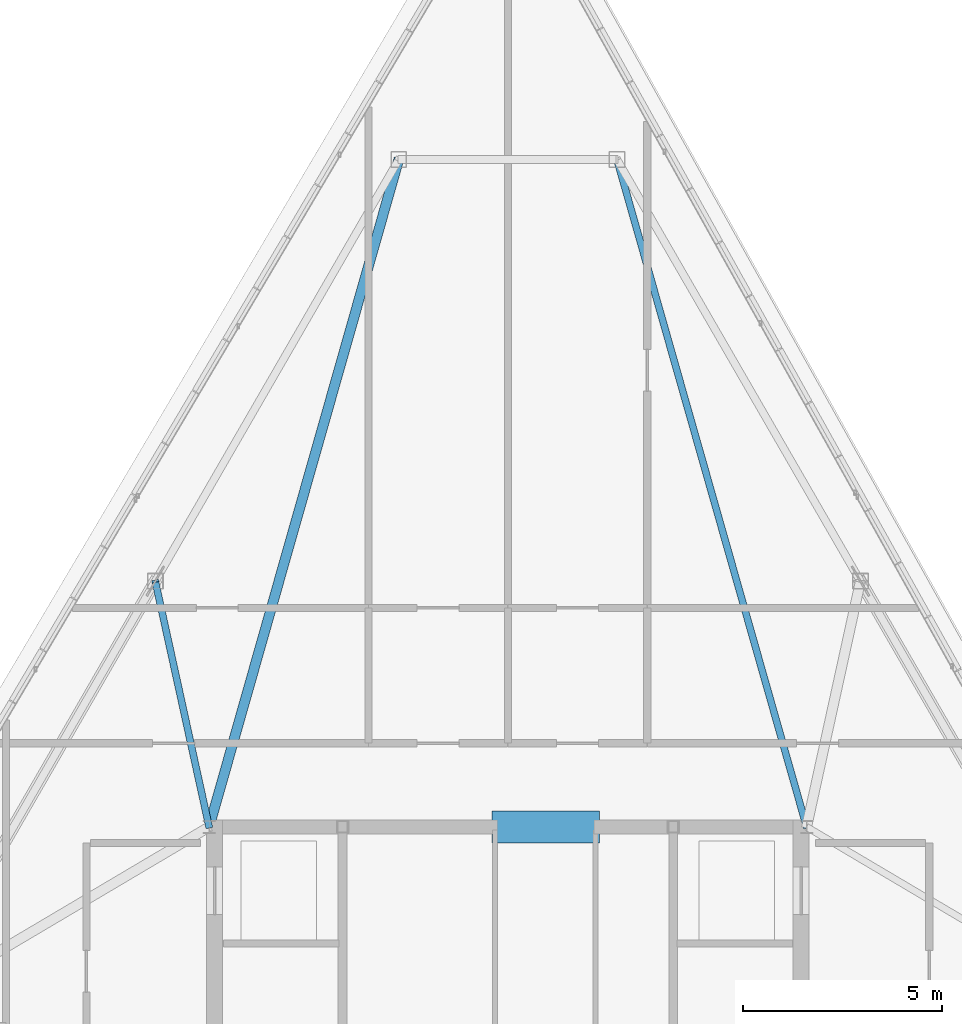
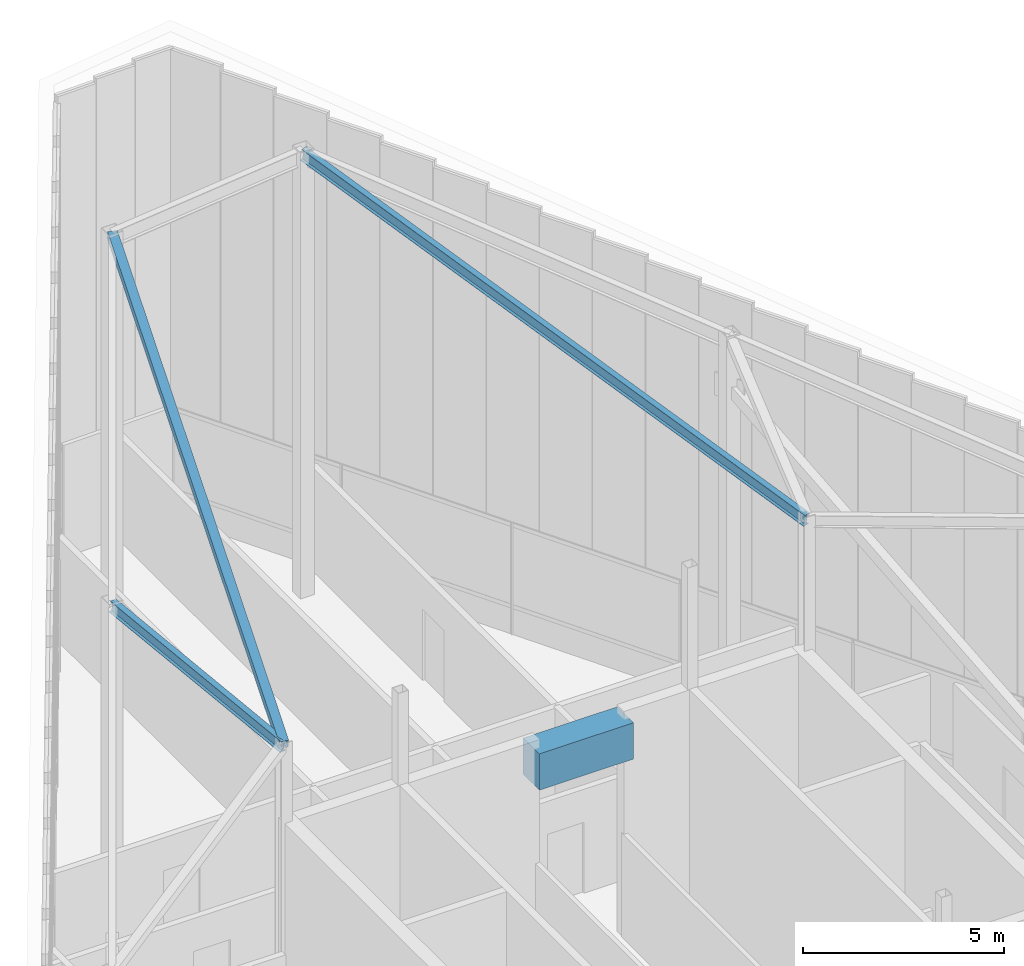
# One storey, part 19 of 50: 4 beams.
"""IFC4 building model written with IfcOpenShell, lengths in metres."""

from ifc_helpers import new_model, si_unit, direction, frame, origin, origin_2d, place, context, subcontext, project, spatial, rectangle, hollow_rectangle, i_section, extrude, source, transform, mapped, material, material_profile, profile_set, type_object, type_shapes, element, save


model = new_model("IFC4")

# Units and contexts
model_context = context("Model", 3, precision=1e-05, world=origin(), true_north=direction((0.0, 1.0)))
body_context = subcontext(model_context, "Body", "Model", "MODEL_VIEW")
ifc_project = project(units=[si_unit("LENGTHUNIT", "METRE"), si_unit("AREAUNIT", "SQUARE_METRE"), si_unit("VOLUMEUNIT", "CUBIC_METRE"), si_unit("PLANEANGLEUNIT", "RADIAN"), si_unit("MASSUNIT", "GRAM", prefix="KILO")], contexts=[model_context])

# Site, building, storey
site_placement = place(None, origin())
site = spatial("IfcSite", under=ifc_project, at=site_placement, CompositionType="ELEMENT")
building_placement = place(site_placement, origin())
building = spatial("IfcBuilding", under=site, at=building_placement, Name="Caelisora Broadcast Tower", CompositionType="ELEMENT")
storey_placement = place(building_placement, frame((0.0, 0.0, 303.39990234375)))
storey = spatial("IfcBuildingStorey", under=building, at=storey_placement, Name="L80", CompositionType="ELEMENT", Elevation=303.39990234375)

# Beams
ifc_material_1 = material(Name="Concrete 65 MPa (AS 3600 S65)", Category="concrete")
ifc_material_profile_1 = material_profile(ifc_material_1, rectangle(XDim=0.800048828125, YDim=1.10009765625, at=origin_2d()), Name="Concrete 65 MPa (AS 3600 S65)")
ifc_profile_set_1 = profile_set([ifc_material_profile_1], Name="Concrete 65 MPa (AS 3600 S65)")
beam_type_1 = type_object("IfcBeamType", Name="CB01", PredefinedType="LINTEL", material=ifc_profile_set_1)
shared_shape_1 = source(origin(), body_context, "Body", "SweptSolid", [
    extrude(rectangle(XDim=0.800048828125, YDim=1.10009765625, at=origin_2d()), origin(), (0.0, 0.0, 1.0), 2.699951171875),
])
type_shapes(beam_type_1, [shared_shape_1])
beam_1_placement = place(storey_placement, frame((37.60009765625, 30.0, 6.070068359375), z_axis=(1.0, 0.0, 0.0), x_axis=(0.0, 1.0, 0.0)))
element("IfcBeam", 1, at=beam_1_placement, inside=storey, type_object=beam_type_1, Name="L80 beam CB01", PredefinedType="LINTEL", context=body_context, shape_type="MappedRepresentation", body=[
    mapped(shared_shape_1, transform((0.0, 0.0, 0.0), scale=1.0)),
])
ifc_material_2 = material(Name="Steel Grade 350 (AS/NZS 3679.1)", Category="steel")
ifc_material_profile_2 = material_profile(ifc_material_2, i_section(OverallWidth=0.172119140625, OverallDepth=0.358642578125, WebThickness=0.008056640625, FlangeThickness=0.012939453125, at=origin_2d()), Name="Steel Grade 350 (AS/NZS 3679.1)")
ifc_profile_set_2 = profile_set([ifc_material_profile_2], Name="Steel Grade 350 (AS/NZS 3679.1)")
beam_type_2 = type_object("IfcBeamType", Name="RB02", PredefinedType="USERDEFINED", material=ifc_profile_set_2)
shared_shape_2 = source(origin(), body_context, "Body", "SweptSolid", [
    extrude(i_section(OverallWidth=0.172119140625, OverallDepth=0.358642578125, WebThickness=0.008056640625, FlangeThickness=0.012939453125, at=origin_2d()), origin(), (0.0, 0.0, 1.0), 17.61376953125),
])
beam_2_placement = place(storey_placement, frame((45.5, 30.0, 10.7119140625), z_axis=(-0.270313963896, 0.951310546818, 0.148116860742), x_axis=(-0.961920660745, -0.273328817418, 0.0)))
element("IfcBeam", 2, at=beam_2_placement, inside=storey, type_object=beam_type_2, Name="L80 beam RB02", ObjectType="RAFTER", PredefinedType="USERDEFINED", context=body_context, shape_type="MappedRepresentation", body=[
    mapped(shared_shape_2, transform((0.0, 0.0, 0.0), scale=1.0)),
])
ifc_material_3 = material(Name="Steel Grade 350 (AS/NZS 1163 C350L0)", Category="steel")
ifc_material_profile_3 = material_profile(ifc_material_3, hollow_rectangle(XDim=0.25, YDim=0.25, WallThickness=0.010009765625, at=origin_2d()), Name="Steel Grade 350 (AS/NZS 1163 C350L0)")
ifc_profile_set_3 = profile_set([ifc_material_profile_3], Name="Steel Grade 350 (AS/NZS 1163 C350L0)")
beam_type_3 = type_object("IfcBeamType", Name="RB03", PredefinedType="USERDEFINED", material=ifc_profile_set_3)
shared_shape_3 = source(origin(), body_context, "Body", "SweptSolid", [
    extrude(hollow_rectangle(XDim=0.25, YDim=0.25, WallThickness=0.010009765625, at=origin_2d()), origin(), (0.0, 0.0, 1.0), 17.794189453125),
])
type_shapes(beam_type_3, [shared_shape_3])
beam_3_placement = place(storey_placement, frame((30.5, 30.0, 9.1533203125), z_axis=(0.267570795885, 0.941670290471, 0.20411500002), x_axis=(-0.961921707798, 0.273325132521, 0.0)))
element("IfcBeam", 3, at=beam_3_placement, inside=storey, type_object=beam_type_3, Name="L80 beam RB03", ObjectType="RAFTER", PredefinedType="USERDEFINED", context=body_context, shape_type="MappedRepresentation", body=[
    mapped(shared_shape_3, transform((0.0, 0.0, 0.0), scale=1.0)),
])
shared_shape_4 = source(origin(), body_context, "Body", "SweptSolid", [
    extrude(i_section(OverallWidth=0.172119140625, OverallDepth=0.358642578125, WebThickness=0.008056640625, FlangeThickness=0.012939453125, at=origin_2d()), origin(), (0.0, 0.0, 1.0), 6.394287109375),
])
type_shapes(beam_type_2, [shared_shape_2, shared_shape_4])
beam_4_placement = place(storey_placement, frame((30.5, 30.0, 9.099609375), z_axis=(-0.211374051501, 0.964737745532, 0.156850542551), x_axis=(-0.976828587361, -0.214023155089, 0.0)))
element("IfcBeam", 4, at=beam_4_placement, inside=storey, type_object=beam_type_2, Name="L80 beam RB02", ObjectType="RAFTER", PredefinedType="USERDEFINED", context=body_context, shape_type="MappedRepresentation", body=[
    mapped(shared_shape_4, transform((0.0, 0.0, 0.0), scale=1.0)),
])

save(model, "model.ifc")
